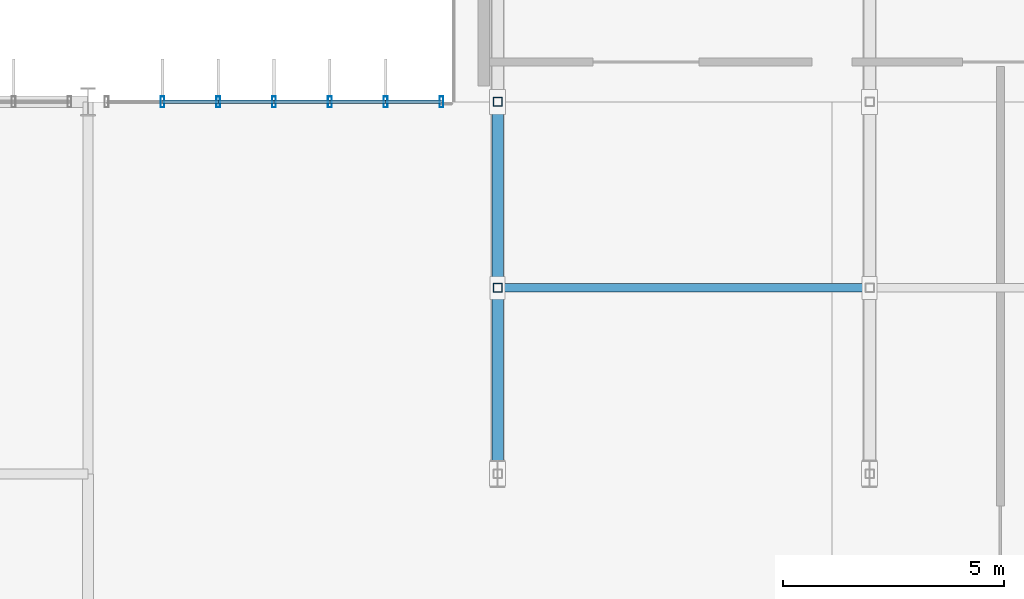
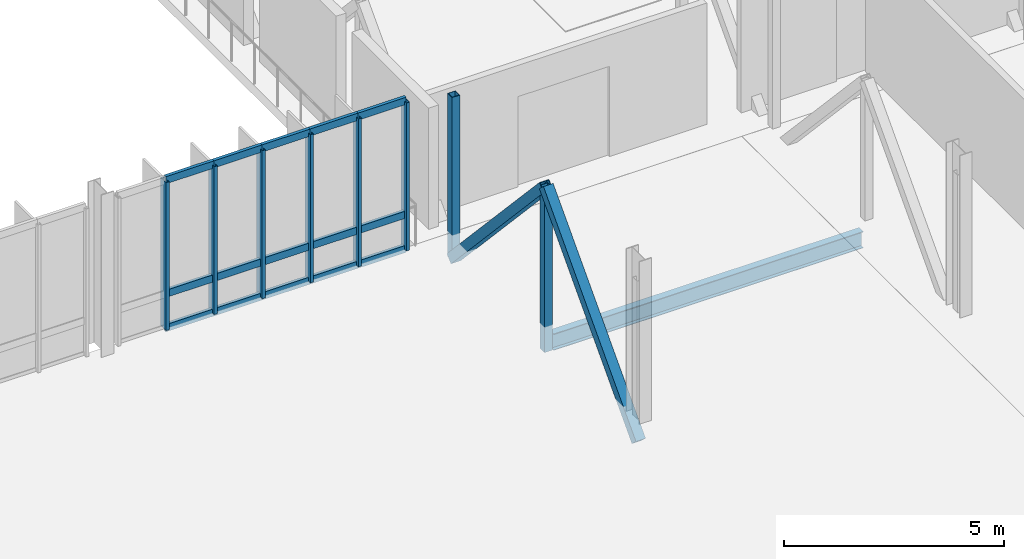
# One storey, part 67 of 139: 25 members, 1 beam, 1 element without a shape of its own.
"""IFC4 building model written with IfcOpenShell, lengths in metres."""

import ifcopenshell
import ifcopenshell.guid

model = None  # the IFC model being written
_history = None  # IfcOwnerHistory: only IFC2X3 demands one
_inside = {}  # id of a spatial element -> (the spatial element, [elements in it])
_under = {}  # id of a project, library or spatial element -> (it, [spatial elements below it])
_declared = {}  # id of a project -> (the project, [libraries it declares])
_typed = {}  # id of a type object -> (the type object, [elements of that type])
_made_of = {}  # id of a material, layer set ... -> (it, [elements and type objects made of it])


def new_model(schema):
    """Start an empty IFC model of exactly this schema.

    Asked for "IFC4X3", IfcOpenShell would pick the latest addendum, in which some entities
    have other attributes; the version numbers below select the first issue.
    IFC2X3 requires an IfcOwnerHistory on every rooted entity: one is made here for all.
    """
    global model, _history
    if schema == "IFC4X3":
        model = ifcopenshell.file(schema_version=(4, 3, 0, 0))
    else:
        model = ifcopenshell.file(schema=schema)
    _inside.clear()
    _under.clear()
    _declared.clear()
    _typed.clear()
    _made_of.clear()
    _history = None
    if model.schema == "IFC2X3":
        org = make("IfcOrganization", Name="unknown")
        user = make(
            "IfcPersonAndOrganization",
            ThePerson=make("IfcPerson", FamilyName="unknown"),
            TheOrganization=org,
        )
        app = make(
            "IfcApplication",
            ApplicationDeveloper=org,
            Version="unknown",
            ApplicationFullName="unknown",
            ApplicationIdentifier="unknown",
        )
        _history = make(
            "IfcOwnerHistory",
            OwningUser=user,
            OwningApplication=app,
            ChangeAction="ADDED",
            CreationDate=0,
        )
    return model


def make(cls, **values):
    """One entity of the class cls with the attributes given. An attribute that is None is left unset."""
    return model.create_entity(
        cls, **{name: value for name, value in values.items() if value is not None}
    )


def rooted(cls, **values):
    """An entity with a GlobalId (a new one), such as an element, a storey or a relation."""
    return make(cls, GlobalId=ifcopenshell.guid.new(), OwnerHistory=_history, **values)


def si_unit(unit_type, name, prefix=None):
    """IfcSIUnit, for example si_unit("LENGTHUNIT", "METRE", prefix="MILLI")."""
    return make("IfcSIUnit", UnitType=unit_type, Prefix=prefix, Name=name)


def derived_unit(unit_type, elements):
    """IfcDerivedUnit: a product of units, each with its exponent."""
    return make(
        "IfcDerivedUnit",
        Elements=[
            make("IfcDerivedUnitElement", Unit=unit, Exponent=power)
            for unit, power in elements
        ],
        UnitType=unit_type,
    )


def assignment(units):
    """IfcUnitAssignment: the units of a project."""
    return None if units is None else make("IfcUnitAssignment", Units=units)


def point(xyz):
    """IfcCartesianPoint."""
    return None if xyz is None else make("IfcCartesianPoint", Coordinates=xyz)


def direction(xyz):
    """IfcDirection."""
    return None if xyz is None else make("IfcDirection", DirectionRatios=xyz)


def frame(location, z_axis=None, x_axis=None):
    """IfcAxis2Placement3D, a coordinate frame: its origin and axes. An axis left out is left unset."""
    return make(
        "IfcAxis2Placement3D",
        Location=point(location),
        Axis=direction(z_axis),
        RefDirection=direction(x_axis),
    )


def frame_2d(location, x_axis=None):
    """IfcAxis2Placement2D, a coordinate frame in the plane: its origin and x axis."""
    return make(
        "IfcAxis2Placement2D", Location=point(location), RefDirection=direction(x_axis)
    )


def origin():
    """The frame at (0, 0, 0) with its axes left unset."""
    return frame((0.0, 0.0, 0.0))


def origin_2d():
    """The frame at (0, 0) in the plane with its x axis left unset."""
    return frame_2d((0.0, 0.0))


def place(relative_to, where):
    """IfcLocalPlacement: puts the frame where relative to a parent placement (None: the world)."""
    return make(
        "IfcLocalPlacement", PlacementRelTo=relative_to, RelativePlacement=where
    )


def context(
    kind, dimensions, precision=None, world=None, true_north=None, identifier=None
):
    """IfcGeometricRepresentationContext, for example the 3D "Model" context."""
    return make(
        "IfcGeometricRepresentationContext",
        ContextIdentifier=identifier,
        ContextType=kind,
        CoordinateSpaceDimension=dimensions,
        Precision=precision,
        WorldCoordinateSystem=world,
        TrueNorth=true_north,
    )


def subcontext(parent, identifier, kind, view, scale=None):
    """IfcGeometricRepresentationSubContext, for example "Body" below "Model"."""
    return make(
        "IfcGeometricRepresentationSubContext",
        ContextIdentifier=identifier,
        ContextType=kind,
        ParentContext=parent,
        TargetScale=scale,
        TargetView=view,
    )


def project(units=None, contexts=None):
    """IfcProject with its units and contexts."""
    return rooted(
        "IfcProject",
        Name="project",
        RepresentationContexts=contexts,
        UnitsInContext=assignment(units),
    )


def spatial(cls, under=None, at=None, **own):
    """A site, building, storey or space (cls), placed at a placement, below another one or the project."""
    s = rooted(cls, ObjectPlacement=at, **own)
    if under is not None:
        _under.setdefault(under.id(), (under, []))[1].append(s)
    return s


def profile(cls, at=None, kind="AREA", **sizes):
    """A parametric profile (cls). Its sizes go by their IFC names, for example OverallWidth=200.0."""
    return make(cls, ProfileType=kind, Position=at, **sizes)


def hollow_rectangle(**sizes):
    """IfcRectangleHollowProfileDef."""
    return profile("IfcRectangleHollowProfileDef", **sizes)


def i_section(**sizes):
    """IfcIShapeProfileDef."""
    return profile("IfcIShapeProfileDef", **sizes)


def extrude(swept, where, along, depth):
    """IfcExtrudedAreaSolid: the profile swept, set in the frame where, extruded along a direction by depth."""
    return make(
        "IfcExtrudedAreaSolid",
        SweptArea=swept,
        Position=where,
        ExtrudedDirection=direction(along),
        Depth=depth,
    )


def shape(context_of_items, identifier, shape_type, items):
    """IfcShapeRepresentation: the items that make up one representation, for example the "Body"."""
    return make(
        "IfcShapeRepresentation",
        ContextOfItems=context_of_items,
        RepresentationIdentifier=identifier,
        RepresentationType=shape_type,
        Items=items,
    )


def material(Name=None, Category=None):
    """IfcMaterial."""
    return make("IfcMaterial", Name=Name, Category=Category)


def layer(
    of_material, thickness, ventilated=None, Name=None, Category=None, Priority=None
):
    """IfcMaterialLayer: one layer of a wall or slab, of a material (None: an air gap)."""
    return make(
        "IfcMaterialLayer",
        Material=of_material,
        LayerThickness=thickness,
        IsVentilated=ventilated,
        Name=Name,
        Category=Category,
        Priority=Priority,
    )


def layer_set(layers, Name=None):
    """IfcMaterialLayerSet."""
    return make("IfcMaterialLayerSet", MaterialLayers=layers, LayerSetName=Name)


def material_profile(
    of_material, cross_section, Name=None, Category=None, Priority=None
):
    """IfcMaterialProfile: a cross section and its material."""
    return make(
        "IfcMaterialProfile",
        Name=Name,
        Material=of_material,
        Profile=cross_section,
        Priority=Priority,
        Category=Category,
    )


def profile_set(profiles, Name=None, composite=None):
    """IfcMaterialProfileSet."""
    return make(
        "IfcMaterialProfileSet",
        Name=Name,
        MaterialProfiles=profiles,
        CompositeProfile=composite,
    )


def made_of(thing, what):
    """Note that an element or type object is made of a material, layer set ...; save() writes the relation."""
    if what is not None:
        _made_of.setdefault(what.id(), (what, []))[1].append(thing)
    return thing


def type_object(cls, material=None, **own):
    """A type object (cls), such as IfcWallType, which elements share."""
    return made_of(rooted(cls, **own), material)


def element(
    cls,
    number,
    at=None,
    inside=None,
    cuts=None,
    type_object=None,
    material=None,
    context=None,
    identifier="Body",
    shape_type=None,
    held_by="IfcProductDefinitionShape",
    body=None,
    shapes=None,
    **own,
):
    """One element of the class cls, such as IfcWall. Its Tag is "e" and its number.

    at: its placement. inside: the storey or other place that contains it. cuts: it is an
    opening in that element (IfcRelVoidsElement). A single representation is given by context,
    identifier, shape_type and body (its items); several are given by shapes. held_by: the class
    of the entity that holds the representations. save() writes the other relations.
    """
    e = rooted(cls, Tag="e%d" % number, ObjectPlacement=at, **own)
    if body is not None:
        shapes = [shape(context, identifier, shape_type, body)]
    if shapes is not None:
        e.Representation = make(held_by, Representations=shapes)
    if inside is not None:
        _inside.setdefault(inside.id(), (inside, []))[1].append(e)
    if cuts is not None:
        rooted(
            "IfcRelVoidsElement", RelatingBuildingElement=cuts, RelatedOpeningElement=e
        )
    if type_object is not None:
        _typed.setdefault(type_object.id(), (type_object, []))[1].append(e)
    return made_of(e, material)


def aggregate(whole, parts):
    """IfcRelAggregates: a whole, such as a stair, and the parts it consists of."""
    return rooted("IfcRelAggregates", RelatingObject=whole, RelatedObjects=parts)


def save(model, path):
    """Write the relations noted so far, then the file.

    IfcRelAggregates (storeys below a building ...), IfcRelContainedInSpatialStructure (elements
    in a storey), IfcRelDefinesByType, IfcRelAssociatesMaterial and IfcRelDeclares: one each for
    every whole, place, type object, material and project.
    """
    for whole, parts in _under.values():
        aggregate(whole, parts)
    for where, things in _inside.values():
        rooted(
            "IfcRelContainedInSpatialStructure",
            RelatedElements=things,
            RelatingStructure=where,
        )
    for kind, things in _typed.values():
        rooted("IfcRelDefinesByType", RelatedObjects=things, RelatingType=kind)
    for what, things in _made_of.values():
        rooted("IfcRelAssociatesMaterial", RelatedObjects=things, RelatingMaterial=what)
    for by, libraries in _declared.values():
        rooted("IfcRelDeclares", RelatingContext=by, RelatedDefinitions=libraries)
    model.write(path)


model = new_model("IFC4")

# Units and contexts
model_context = context("Model", 3, precision=1e-05, world=origin(), true_north=direction((0.0, 1.0)))
body_context = subcontext(model_context, "Body", "Model", "MODEL_VIEW")
ifc_project = project(units=[si_unit("LENGTHUNIT", "METRE"), si_unit("AREAUNIT", "SQUARE_METRE"), si_unit("VOLUMEUNIT", "CUBIC_METRE"), si_unit("PLANEANGLEUNIT", "RADIAN"), si_unit("MASSUNIT", "GRAM", prefix="KILO"), derived_unit("THERMALTRANSMITTANCEUNIT", [(si_unit("MASSUNIT", "GRAM", prefix="KILO"), 1), (si_unit("TIMEUNIT", "SECOND"), -3), (si_unit("THERMODYNAMICTEMPERATUREUNIT", "KELVIN"), -1)])], contexts=[model_context])

# Site, building, storey
site_placement = place(None, origin())
site = spatial("IfcSite", under=ifc_project, at=site_placement, CompositionType="ELEMENT")
building_placement = place(site_placement, origin())
building = spatial("IfcBuilding", under=site, at=building_placement, Name="Makaiwela Harbour Ferry Terminal", CompositionType="ELEMENT")
storey_placement = place(building_placement, frame((0.0, 0.0, 5.10009765625)))
storey = spatial("IfcBuildingStorey", under=building, at=storey_placement, Name="L01", CompositionType="ELEMENT", Elevation=5.10009765625)

# Curtain wall, members
ifc_material_1 = material(Name="Marine anodised aluminium 6063-T6", Category="aluminium")
ifc_layer = layer(ifc_material_1, 0.199951171875)
ifc_layer_set = layer_set([ifc_layer], Name="Marine anodised aluminium 6063-T6")
curtain_wall_type = type_object("IfcCurtainWallType", Name="ENV-CW-08", PredefinedType="USERDEFINED", material=ifc_layer_set)
curtain_wall_placement = place(storey_placement, origin())
curtain_wall = element("IfcCurtainWall", 1, at=curtain_wall_placement, inside=storey, type_object=curtain_wall_type, Name="Unitised Curtain Wall CWA-077", ObjectType="UNITIZED CURTAIN WALL", PredefinedType="USERDEFINED")
ifc_material_profile_1 = material_profile(ifc_material_1, hollow_rectangle(XDim=0.0849609375, YDim=0.25, WallThickness=0.0048828125, at=origin_2d()), Name="CWM-250X85")
ifc_profile_set_1 = profile_set([ifc_material_profile_1], Name="Marine anodised aluminium 6063-T6")
member_type_1 = type_object("IfcMemberType", Name="CW-MUL-250", PredefinedType="MULLION", material=ifc_profile_set_1)
member_1_placement = place(storey_placement, frame((81.47998046875, 103.39990234375, 0.0), z_axis=(0.0, 0.0, 1.0), x_axis=(1.0, 0.0, 0.0)))
member_1 = element("IfcMember", 2, at=member_1_placement, type_object=member_type_1, Name="Curtain Wall Mullion CWA-077-2", PredefinedType="MULLION", context=body_context, shape_type="SweptSolid", body=[
    extrude(hollow_rectangle(XDim=0.0849609375, YDim=0.25, WallThickness=0.0048828125, at=origin_2d()), origin(), (0.0, 0.0, 1.0), 4.099853515625),
])
member_2_placement = place(storey_placement, frame((82.739990234375, 103.39990234375, 0.0), z_axis=(0.0, 0.0, 1.0), x_axis=(1.0, 0.0, 0.0)))
member_2 = element("IfcMember", 3, at=member_2_placement, type_object=member_type_1, Name="Curtain Wall Mullion CWA-077-3", PredefinedType="MULLION", context=body_context, shape_type="SweptSolid", body=[
    extrude(hollow_rectangle(XDim=0.0849609375, YDim=0.25, WallThickness=0.0048828125, at=origin_2d()), origin(), (0.0, 0.0, 1.0), 4.099853515625),
])
member_3_placement = place(storey_placement, frame((84.0, 103.39990234375, 0.0), z_axis=(0.0, 0.0, 1.0), x_axis=(1.0, 0.0, 0.0)))
member_3 = element("IfcMember", 4, at=member_3_placement, type_object=member_type_1, Name="Curtain Wall Mullion CWA-077-4", PredefinedType="MULLION", context=body_context, shape_type="SweptSolid", body=[
    extrude(hollow_rectangle(XDim=0.0849609375, YDim=0.25, WallThickness=0.0048828125, at=origin_2d()), origin(), (0.0, 0.0, 1.0), 4.099853515625),
])
member_4_placement = place(storey_placement, frame((85.260009765625, 103.39990234375, 0.0), z_axis=(0.0, 0.0, 1.0), x_axis=(1.0, 0.0, 0.0)))
member_4 = element("IfcMember", 5, at=member_4_placement, type_object=member_type_1, Name="Curtain Wall Mullion CWA-077-5", PredefinedType="MULLION", context=body_context, shape_type="SweptSolid", body=[
    extrude(hollow_rectangle(XDim=0.0849609375, YDim=0.25, WallThickness=0.0048828125, at=origin_2d()), origin(), (0.0, 0.0, 1.0), 4.099853515625),
])
member_5_placement = place(storey_placement, frame((86.52001953125, 103.39990234375, 0.0), z_axis=(0.0, 0.0, 1.0), x_axis=(1.0, 0.0, 0.0)))
member_5 = element("IfcMember", 6, at=member_5_placement, type_object=member_type_1, Name="Curtain Wall Mullion CWA-077-6", PredefinedType="MULLION", context=body_context, shape_type="SweptSolid", body=[
    extrude(hollow_rectangle(XDim=0.0849609375, YDim=0.25, WallThickness=0.0048828125, at=origin_2d()), origin(), (0.0, 0.0, 1.0), 4.099853515625),
])
member_6_placement = place(storey_placement, frame((87.780029296875, 103.39990234375, 0.0), z_axis=(0.0, 0.0, 1.0), x_axis=(1.0, 0.0, 0.0)))
member_6 = element("IfcMember", 7, at=member_6_placement, type_object=member_type_1, Name="Curtain Wall Mullion CWA-077-7", PredefinedType="MULLION", context=body_context, shape_type="SweptSolid", body=[
    extrude(hollow_rectangle(XDim=0.0849609375, YDim=0.25, WallThickness=0.0048828125, at=origin_2d()), origin(), (0.0, 0.0, 1.0), 4.099853515625),
])
ifc_material_profile_2 = material_profile(ifc_material_1, hollow_rectangle(XDim=0.0849609375, YDim=0.199951171875, WallThickness=0.0048828125, at=origin_2d()), Name="CWT-200X85")
ifc_profile_set_2 = profile_set([ifc_material_profile_2], Name="Marine anodised aluminium 6063-T6")
member_type_2 = type_object("IfcMemberType", Name="CW-TRN-200", PredefinedType="USERDEFINED", material=ifc_profile_set_2)
member_7_placement = place(storey_placement, frame((81.47998046875, 103.39990234375, 0.0), z_axis=(1.0, 0.0, 0.0), x_axis=(0.0, 1.0, 0.0)))
member_7 = element("IfcMember", 8, at=member_7_placement, type_object=member_type_2, Name="Curtain Wall Transom CWA-077-2-1", ObjectType="TRANSOM", PredefinedType="USERDEFINED", context=body_context, shape_type="SweptSolid", body=[
    extrude(hollow_rectangle(XDim=0.0849609375, YDim=0.199951171875, WallThickness=0.0048828125, at=origin_2d()), origin(), (0.0, 0.0, 1.0), 1.260009765625),
])
member_8_placement = place(storey_placement, frame((81.47998046875, 103.39990234375, 0.949951171875), z_axis=(1.0, 0.0, 0.0), x_axis=(0.0, 1.0, 0.0)))
member_8 = element("IfcMember", 9, at=member_8_placement, type_object=member_type_2, Name="Curtain Wall Transom CWA-077-2-2", ObjectType="TRANSOM", PredefinedType="USERDEFINED", context=body_context, shape_type="SweptSolid", body=[
    extrude(hollow_rectangle(XDim=0.0849609375, YDim=0.199951171875, WallThickness=0.0048828125, at=origin_2d()), origin(), (0.0, 0.0, 1.0), 1.260009765625),
])
member_9_placement = place(storey_placement, frame((81.47998046875, 103.39990234375, 4.099853515625), z_axis=(1.0, 0.0, 0.0), x_axis=(0.0, 1.0, 0.0)))
member_9 = element("IfcMember", 10, at=member_9_placement, type_object=member_type_2, Name="Curtain Wall Transom CWA-077-2-3", ObjectType="TRANSOM", PredefinedType="USERDEFINED", context=body_context, shape_type="SweptSolid", body=[
    extrude(hollow_rectangle(XDim=0.0849609375, YDim=0.199951171875, WallThickness=0.0048828125, at=origin_2d()), origin(), (0.0, 0.0, 1.0), 1.260009765625),
])
member_10_placement = place(storey_placement, frame((82.739990234375, 103.39990234375, 0.0), z_axis=(1.0, 0.0, 0.0), x_axis=(0.0, 1.0, 0.0)))
member_10 = element("IfcMember", 11, at=member_10_placement, type_object=member_type_2, Name="Curtain Wall Transom CWA-077-3-1", ObjectType="TRANSOM", PredefinedType="USERDEFINED", context=body_context, shape_type="SweptSolid", body=[
    extrude(hollow_rectangle(XDim=0.0849609375, YDim=0.199951171875, WallThickness=0.0048828125, at=origin_2d()), origin(), (0.0, 0.0, 1.0), 1.260009765625),
])
member_11_placement = place(storey_placement, frame((82.739990234375, 103.39990234375, 0.949951171875), z_axis=(1.0, 0.0, 0.0), x_axis=(0.0, 1.0, 0.0)))
member_11 = element("IfcMember", 12, at=member_11_placement, type_object=member_type_2, Name="Curtain Wall Transom CWA-077-3-2", ObjectType="TRANSOM", PredefinedType="USERDEFINED", context=body_context, shape_type="SweptSolid", body=[
    extrude(hollow_rectangle(XDim=0.0849609375, YDim=0.199951171875, WallThickness=0.0048828125, at=origin_2d()), origin(), (0.0, 0.0, 1.0), 1.260009765625),
])
member_12_placement = place(storey_placement, frame((82.739990234375, 103.39990234375, 4.099853515625), z_axis=(1.0, 0.0, 0.0), x_axis=(0.0, 1.0, 0.0)))
member_12 = element("IfcMember", 13, at=member_12_placement, type_object=member_type_2, Name="Curtain Wall Transom CWA-077-3-3", ObjectType="TRANSOM", PredefinedType="USERDEFINED", context=body_context, shape_type="SweptSolid", body=[
    extrude(hollow_rectangle(XDim=0.0849609375, YDim=0.199951171875, WallThickness=0.0048828125, at=origin_2d()), origin(), (0.0, 0.0, 1.0), 1.260009765625),
])
member_13_placement = place(storey_placement, frame((84.0, 103.39990234375, 0.0), z_axis=(1.0, 0.0, 0.0), x_axis=(0.0, 1.0, 0.0)))
member_13 = element("IfcMember", 14, at=member_13_placement, type_object=member_type_2, Name="Curtain Wall Transom CWA-077-4-1", ObjectType="TRANSOM", PredefinedType="USERDEFINED", context=body_context, shape_type="SweptSolid", body=[
    extrude(hollow_rectangle(XDim=0.0849609375, YDim=0.199951171875, WallThickness=0.0048828125, at=origin_2d()), origin(), (0.0, 0.0, 1.0), 1.260009765625),
])
member_14_placement = place(storey_placement, frame((84.0, 103.39990234375, 0.949951171875), z_axis=(1.0, 0.0, 0.0), x_axis=(0.0, 1.0, 0.0)))
member_14 = element("IfcMember", 15, at=member_14_placement, type_object=member_type_2, Name="Curtain Wall Transom CWA-077-4-2", ObjectType="TRANSOM", PredefinedType="USERDEFINED", context=body_context, shape_type="SweptSolid", body=[
    extrude(hollow_rectangle(XDim=0.0849609375, YDim=0.199951171875, WallThickness=0.0048828125, at=origin_2d()), origin(), (0.0, 0.0, 1.0), 1.260009765625),
])
member_15_placement = place(storey_placement, frame((84.0, 103.39990234375, 4.099853515625), z_axis=(1.0, 0.0, 0.0), x_axis=(0.0, 1.0, 0.0)))
member_15 = element("IfcMember", 16, at=member_15_placement, type_object=member_type_2, Name="Curtain Wall Transom CWA-077-4-3", ObjectType="TRANSOM", PredefinedType="USERDEFINED", context=body_context, shape_type="SweptSolid", body=[
    extrude(hollow_rectangle(XDim=0.0849609375, YDim=0.199951171875, WallThickness=0.0048828125, at=origin_2d()), origin(), (0.0, 0.0, 1.0), 1.260009765625),
])
member_16_placement = place(storey_placement, frame((85.260009765625, 103.39990234375, 0.0), z_axis=(1.0, 0.0, 0.0), x_axis=(0.0, 1.0, 0.0)))
member_16 = element("IfcMember", 17, at=member_16_placement, type_object=member_type_2, Name="Curtain Wall Transom CWA-077-5-1", ObjectType="TRANSOM", PredefinedType="USERDEFINED", context=body_context, shape_type="SweptSolid", body=[
    extrude(hollow_rectangle(XDim=0.0849609375, YDim=0.199951171875, WallThickness=0.0048828125, at=origin_2d()), origin(), (0.0, 0.0, 1.0), 1.260009765625),
])
member_17_placement = place(storey_placement, frame((85.260009765625, 103.39990234375, 0.949951171875), z_axis=(1.0, 0.0, 0.0), x_axis=(0.0, 1.0, 0.0)))
member_17 = element("IfcMember", 18, at=member_17_placement, type_object=member_type_2, Name="Curtain Wall Transom CWA-077-5-2", ObjectType="TRANSOM", PredefinedType="USERDEFINED", context=body_context, shape_type="SweptSolid", body=[
    extrude(hollow_rectangle(XDim=0.0849609375, YDim=0.199951171875, WallThickness=0.0048828125, at=origin_2d()), origin(), (0.0, 0.0, 1.0), 1.260009765625),
])
member_18_placement = place(storey_placement, frame((85.260009765625, 103.39990234375, 4.099853515625), z_axis=(1.0, 0.0, 0.0), x_axis=(0.0, 1.0, 0.0)))
member_18 = element("IfcMember", 19, at=member_18_placement, type_object=member_type_2, Name="Curtain Wall Transom CWA-077-5-3", ObjectType="TRANSOM", PredefinedType="USERDEFINED", context=body_context, shape_type="SweptSolid", body=[
    extrude(hollow_rectangle(XDim=0.0849609375, YDim=0.199951171875, WallThickness=0.0048828125, at=origin_2d()), origin(), (0.0, 0.0, 1.0), 1.260009765625),
])
member_19_placement = place(storey_placement, frame((86.52001953125, 103.39990234375, 0.0), z_axis=(1.0, 0.0, 0.0), x_axis=(0.0, 1.0, 0.0)))
member_19 = element("IfcMember", 20, at=member_19_placement, type_object=member_type_2, Name="Curtain Wall Transom CWA-077-6-1", ObjectType="TRANSOM", PredefinedType="USERDEFINED", context=body_context, shape_type="SweptSolid", body=[
    extrude(hollow_rectangle(XDim=0.0849609375, YDim=0.199951171875, WallThickness=0.0048828125, at=origin_2d()), origin(), (0.0, 0.0, 1.0), 1.260009765625),
])
member_20_placement = place(storey_placement, frame((86.52001953125, 103.39990234375, 0.949951171875), z_axis=(1.0, 0.0, 0.0), x_axis=(0.0, 1.0, 0.0)))
member_20 = element("IfcMember", 21, at=member_20_placement, type_object=member_type_2, Name="Curtain Wall Transom CWA-077-6-2", ObjectType="TRANSOM", PredefinedType="USERDEFINED", context=body_context, shape_type="SweptSolid", body=[
    extrude(hollow_rectangle(XDim=0.0849609375, YDim=0.199951171875, WallThickness=0.0048828125, at=origin_2d()), origin(), (0.0, 0.0, 1.0), 1.260009765625),
])
member_21_placement = place(storey_placement, frame((86.52001953125, 103.39990234375, 4.099853515625), z_axis=(1.0, 0.0, 0.0), x_axis=(0.0, 1.0, 0.0)))
member_21 = element("IfcMember", 22, at=member_21_placement, type_object=member_type_2, Name="Curtain Wall Transom CWA-077-6-3", ObjectType="TRANSOM", PredefinedType="USERDEFINED", context=body_context, shape_type="SweptSolid", body=[
    extrude(hollow_rectangle(XDim=0.0849609375, YDim=0.199951171875, WallThickness=0.0048828125, at=origin_2d()), origin(), (0.0, 0.0, 1.0), 1.260009765625),
])
aggregate(curtain_wall, [member_1, member_2, member_3, member_4, member_5, member_6, member_7, member_8, member_9, member_10, member_11, member_12, member_13, member_14, member_15, member_16, member_17, member_18, member_19, member_20, member_21])

# Members
ifc_material_2 = material(Name="Steel ASTM A500 Grade C", Category="steel")
ifc_material_profile_3 = material_profile(ifc_material_2, hollow_rectangle(XDim=0.25390625, YDim=0.25390625, WallThickness=0.0146484375, at=origin_2d()), Name="HSS10X10X5/8")
ifc_profile_set_3 = profile_set([ifc_material_profile_3], Name="Steel ASTM A500 Grade C")
member_type_3 = type_object("IfcMemberType", Name="STR-BRC-HSS10", PredefinedType="BRACE", material=ifc_profile_set_3)
for number, where, z_axis, x_axis, name in (
    (23, (89.050048828125, 95.0, -0.70556640625), (0.0, 0.680693892275, 0.732567966144), (-1.0, 0.0, 0.0), "Structural Member BR-01"),
    (24, (89.050048828125, 99.199951171875, 3.814453125), (0.0, 0.680693892275, -0.732567966144), (-1.0, 0.0, 0.0), "Structural Member BR-01"),
):
    element("IfcMember", number, at=place(storey_placement, frame(where, z_axis=z_axis, x_axis=x_axis)), inside=storey, type_object=member_type_3, Name=name, PredefinedType="BRACE", context=body_context, shape_type="SweptSolid", body=[
        extrude(hollow_rectangle(XDim=0.25390625, YDim=0.25390625, WallThickness=0.0146484375, at=origin_2d()), origin(), (0.0, 0.0, 1.0), 6.170166015625),
    ])

# Beam
ifc_material_3 = material(Name="Steel ASTM A992 Grade 50", Category="steel")
ifc_material_profile_4 = material_profile(ifc_material_3, i_section(OverallWidth=0.18994140625, OverallDepth=0.45703125, WebThickness=0.009033203125, FlangeThickness=0.014404296875, at=origin_2d()), Name="W18X50")
ifc_profile_set_4 = profile_set([ifc_material_profile_4], Name="Steel ASTM A992 Grade 50")
beam_type = type_object("IfcBeamType", Name="STR-JST-W18X50", PredefinedType="JOIST", material=ifc_profile_set_4)
beam_placement = place(storey_placement, frame((89.19091796875, 99.199951171875, -0.508544921875), z_axis=(1.0, 0.0, 0.0), x_axis=(0.0, 1.0, 0.0)))
element("IfcBeam", 25, at=beam_placement, inside=storey, type_object=beam_type, Name="Structural Beam J-01", PredefinedType="JOIST", context=body_context, shape_type="SweptSolid", body=[
    extrude(i_section(OverallWidth=0.18994140625, OverallDepth=0.45703125, WebThickness=0.009033203125, FlangeThickness=0.014404296875, at=origin_2d()), origin(), (0.0, 0.0, 1.0), 8.1181640625),
])

# Members
ifc_material_profile_5 = material_profile(ifc_material_2, hollow_rectangle(XDim=0.202880859375, YDim=0.202880859375, WallThickness=0.01171875, at=origin_2d()), Name="HSS8X8X1/2")
ifc_profile_set_5 = profile_set([ifc_material_profile_5], Name="Steel ASTM A500 Grade C")
member_type_4 = type_object("IfcMemberType", Name="STR-PST-HSS8", PredefinedType="POST", material=ifc_profile_set_5)
for number, where, z_axis, x_axis, name in (
    (26, (89.050048828125, 99.199951171875, -0.70556640625), (0.0, 0.0, 1.0), (1.0, 0.0, 0.0), "Structural Member PS-01"),
    (27, (89.050048828125, 103.39990234375, -0.70556640625), (0.0, 0.0, 1.0), (1.0, 0.0, 0.0), "Structural Member PS-01"),
):
    element("IfcMember", number, at=place(storey_placement, frame(where, z_axis=z_axis, x_axis=x_axis)), inside=storey, type_object=member_type_4, Name=name, PredefinedType="POST", context=body_context, shape_type="SweptSolid", body=[
        extrude(hollow_rectangle(XDim=0.202880859375, YDim=0.202880859375, WallThickness=0.01171875, at=origin_2d()), origin(), (0.0, 0.0, 1.0), 4.52001953125),
    ])

save(model, "model.ifc")
